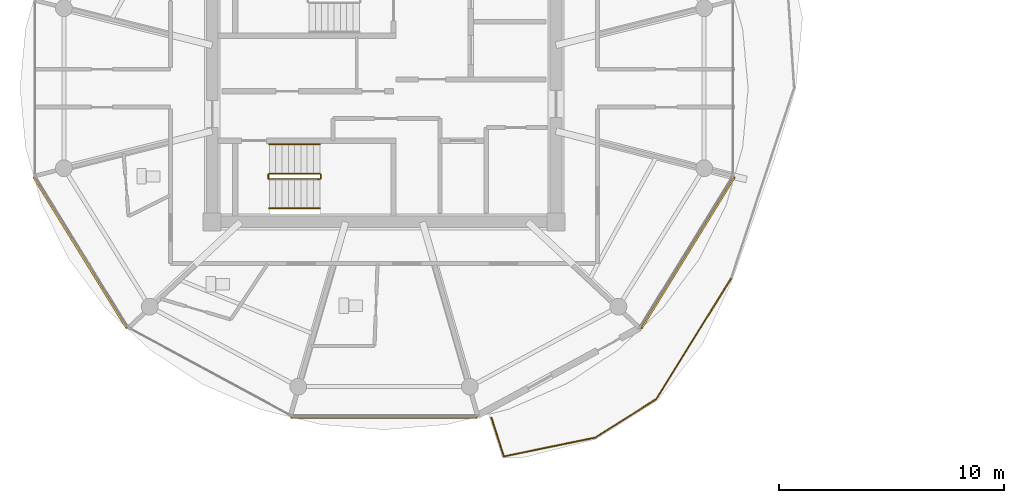
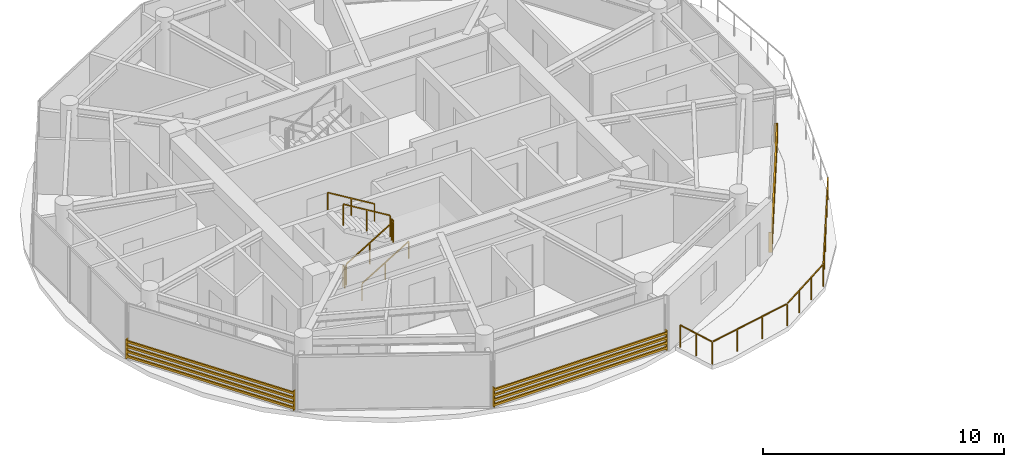
# One storey, part 15 of 19: 7 railings, 3 shading devices.
"""IFC4 building model written with IfcOpenShell, lengths in metres."""

from ifc_helpers import new_model, si_unit, direction, frame, origin, origin_2d, place, context, subcontext, project, spatial, rectangle, extrude, source, transform, mapped, material, type_object, type_shapes, element, save


model = new_model("IFC4")

# Units and contexts
model_context = context("Model", 3, precision=1e-05, world=origin(), true_north=direction((0.0, 1.0)))
body_context = subcontext(model_context, "Body", "Model", "MODEL_VIEW")
ifc_project = project(units=[si_unit("LENGTHUNIT", "METRE"), si_unit("AREAUNIT", "SQUARE_METRE"), si_unit("VOLUMEUNIT", "CUBIC_METRE"), si_unit("PLANEANGLEUNIT", "RADIAN"), si_unit("MASSUNIT", "GRAM", prefix="KILO")], contexts=[model_context])

# Site, building, storey
site_placement = place(None, origin())
site = spatial("IfcSite", under=ifc_project, at=site_placement, CompositionType="ELEMENT")
building_placement = place(site_placement, origin())
building = spatial("IfcBuilding", under=site, at=building_placement, Name="Norrkilde Senior Care Towers", CompositionType="ELEMENT")
storey_placement = place(building_placement, frame((0.0, 0.0, 193.699951171875)))
storey = spatial("IfcBuildingStorey", under=building, at=storey_placement, Name="L60", CompositionType="ELEMENT", Elevation=193.699951171875)

# Railings
ifc_material_1 = material(Name="Anodised Aluminium", Category="aluminium")
railing_type_1 = type_object("IfcRailingType", Name="Balcony Swirl Ribbon Guardrail 1150", PredefinedType="GUARDRAIL", material=ifc_material_1)
railing_1_placement = place(storey_placement, frame((-12.56494140625, -8.48046875, 0.0)))
element("IfcRailing", 1, at=railing_1_placement, inside=storey, type_object=railing_type_1, Name="L60 Perimeter Safety Guard 03", PredefinedType="GUARDRAIL", context=body_context, shape_type="SweptSolid", body=[
    extrude(rectangle(XDim=0.048095703125, YDim=0.048095703125, at=origin_2d()), frame((0.0, 0.0, 1.1259765625), z_axis=(-0.526629970888, -0.850094626358, 0.0), x_axis=(0.850094626358, -0.526629970888, 0.0)), (0.0, 0.0, 1.0), 6.246337890625),
    extrude(rectangle(XDim=0.048095703125, YDim=0.048095703125, at=origin_2d()), frame((-3.345703125, -5.366455078125, 1.1259765625), z_axis=(-0.845186378961, -0.534471687574, 0.0), x_axis=(0.534471687574, -0.845186378961, 0.0)), (0.0, 0.0, 1.0), 3.141357421875),
    extrude(rectangle(XDim=0.048095703125, YDim=0.048095703125, at=origin_2d()), frame((-6.0751953125, -7.07568359375, 1.1259765625), z_axis=(-0.979422898492, -0.20181869564, 0.0), x_axis=(0.20181869564, -0.979422898492, 0.0)), (0.0, 0.0, 1.0), 4.073486328125),
    extrude(rectangle(XDim=0.048095703125, YDim=0.048095703125, at=origin_2d()), frame((-10.117431640625, -7.8671875, 1.1259765625), z_axis=(-0.304927286602, 0.952375634866, 0.0), x_axis=(-0.952375634866, -0.304927286602, 0.0)), (0.0, 0.0, 1.0), 1.77099609375),
    extrude(rectangle(XDim=0.0419921875, YDim=0.0419921875, at=origin_2d()), origin(), (0.0, 0.0, 1.0), 1.099853515625),
    extrude(rectangle(XDim=0.0419921875, YDim=0.0419921875, at=origin_2d()), frame((-0.662109375, -1.06884765625, 0.0)), (0.0, 0.0, 1.0), 1.099853515625),
    extrude(rectangle(XDim=0.0419921875, YDim=0.0419921875, at=origin_2d()), frame((-1.324462890625, -2.137939453125, 0.0)), (0.0, 0.0, 1.0), 1.099853515625),
    extrude(rectangle(XDim=0.0419921875, YDim=0.0419921875, at=origin_2d()), frame((-1.986572265625, -3.206787109375, 0.0)), (0.0, 0.0, 1.0), 1.099853515625),
    extrude(rectangle(XDim=0.0419921875, YDim=0.0419921875, at=origin_2d()), frame((-2.64892578125, -4.27587890625, 0.0)), (0.0, 0.0, 1.0), 1.099853515625),
    extrude(rectangle(XDim=0.0419921875, YDim=0.0419921875, at=origin_2d()), frame((-3.31103515625, -5.3447265625, 0.0)), (0.0, 0.0, 1.0), 1.099853515625),
    extrude(rectangle(XDim=0.0419921875, YDim=0.0419921875, at=origin_2d()), frame((-4.218994140625, -5.9189453125, 0.0)), (0.0, 0.0, 1.0), 1.099853515625),
    extrude(rectangle(XDim=0.0419921875, YDim=0.0419921875, at=origin_2d()), frame((-5.127197265625, -6.4931640625, 0.0)), (0.0, 0.0, 1.0), 1.099853515625),
    extrude(rectangle(XDim=0.0419921875, YDim=0.0419921875, at=origin_2d()), frame((-6.03515625, -7.0673828125, 0.0)), (0.0, 0.0, 1.0), 1.099853515625),
    extrude(rectangle(XDim=0.0419921875, YDim=0.0419921875, at=origin_2d()), frame((-7.391845703125, -7.346923828125, 0.0)), (0.0, 0.0, 1.0), 1.099853515625),
    extrude(rectangle(XDim=0.0419921875, YDim=0.0419921875, at=origin_2d()), frame((-8.748291015625, -7.62646484375, 0.0)), (0.0, 0.0, 1.0), 1.099853515625),
    extrude(rectangle(XDim=0.0419921875, YDim=0.0419921875, at=origin_2d()), frame((-10.10498046875, -7.906005859375, 0.0)), (0.0, 0.0, 1.0), 1.099853515625),
    extrude(rectangle(XDim=0.0419921875, YDim=0.0419921875, at=origin_2d()), frame((-10.38134765625, -7.043212890625, 0.0)), (0.0, 0.0, 1.0), 1.099853515625),
    extrude(rectangle(XDim=0.0419921875, YDim=0.0419921875, at=origin_2d()), frame((-10.657470703125, -6.180419921875, 0.0)), (0.0, 0.0, 1.0), 1.099853515625),
])
ifc_material_2 = material(Name="Stainless Steel", Category="steel")
railing_type_2 = type_object("IfcRailingType", Name="Stair and Terrace Guardrail 1100", PredefinedType="GUARDRAIL", material=ifc_material_2)
railing_2_placement = place(storey_placement, frame((-33.10009765625, -4.050048828125, 0.16943359375)))
element("IfcRailing", 2, at=railing_2_placement, inside=storey, type_object=railing_type_2, Name="L60 ST-W2 stair guard 1", PredefinedType="GUARDRAIL", context=body_context, shape_type="SweptSolid", body=[
    extrude(rectangle(XDim=0.048095703125, YDim=0.048095703125, at=origin_2d()), frame((0.0, 0.0, 1.076171875), z_axis=(0.855512035549, 0.0, 0.517782924622), x_axis=(0.0, 1.0, 0.0)), (0.0, 0.0, 1.0), 2.618408203125),
    extrude(rectangle(XDim=0.0419921875, YDim=0.0419921875, at=origin_2d()), origin(), (0.0, 0.0, 1.0), 1.050048828125),
    extrude(rectangle(XDim=0.0419921875, YDim=0.0419921875, at=origin_2d()), frame((1.1201171875, 0.0, 0.677734375)), (0.0, 0.0, 1.0), 1.050048828125),
    extrude(rectangle(XDim=0.0419921875, YDim=0.0419921875, at=origin_2d()), frame((2.239990234375, 0.0, 1.355712890625)), (0.0, 0.0, 1.0), 1.050048828125),
])
railing_3_placement = place(storey_placement, frame((-30.81005859375, -4.0, 1.525146484375)))
element("IfcRailing", 3, at=railing_3_placement, inside=storey, type_object=railing_type_2, Name="L60 ST-W2 stair guard 2", PredefinedType="GUARDRAIL", context=body_context, shape_type="SweptSolid", body=[
    extrude(rectangle(XDim=0.048095703125, YDim=0.048095703125, at=origin_2d()), frame((0.0, 0.0, 1.076171875), z_axis=(0.0, 1.0, 0.0), x_axis=(-1.0, 0.0, 0.0)), (0.0, 0.0, 1.0), 0.14990234375),
    extrude(rectangle(XDim=0.0419921875, YDim=0.0419921875, at=origin_2d()), origin(), (0.0, 0.0, 1.0), 1.050048828125),
    extrude(rectangle(XDim=0.0419921875, YDim=0.0419921875, at=origin_2d()), frame((0.0, 0.14990234375, 0.0)), (0.0, 0.0, 1.0), 1.050048828125),
])
railing_4_placement = place(storey_placement, frame((-30.860107421875, -3.800048828125, 1.694580078125)))
element("IfcRailing", 4, at=railing_4_placement, inside=storey, type_object=railing_type_2, Name="L60 ST-W2 stair guard 3", PredefinedType="GUARDRAIL", context=body_context, shape_type="SweptSolid", body=[
    extrude(rectangle(XDim=0.048095703125, YDim=0.048095703125, at=origin_2d()), frame((0.0, 0.0, 1.076171875), z_axis=(-0.855553338991, 0.0, 0.51771467445), x_axis=(0.0, -1.0, 0.0)), (0.0, 0.0, 1.0), 2.6181640625),
    extrude(rectangle(XDim=0.0419921875, YDim=0.0419921875, at=origin_2d()), origin(), (0.0, 0.0, 1.0), 1.050048828125),
    extrude(rectangle(XDim=0.0419921875, YDim=0.0419921875, at=origin_2d()), frame((-1.1201171875, 0.0, 0.677734375)), (0.0, 0.0, 1.0), 1.050048828125),
    extrude(rectangle(XDim=0.0419921875, YDim=0.0419921875, at=origin_2d()), frame((-2.239990234375, 0.0, 1.35546875)), (0.0, 0.0, 1.0), 1.050048828125),
])
railing_5_placement = place(storey_placement, frame((-33.14990234375, -4.0, 0.0)))
element("IfcRailing", 5, at=railing_5_placement, inside=storey, type_object=railing_type_2, Name="L60 ST-W2 stair guard 4", PredefinedType="GUARDRAIL", context=body_context, shape_type="SweptSolid", body=[
    extrude(rectangle(XDim=0.048095703125, YDim=0.048095703125, at=origin_2d()), frame((0.0, 0.0, 1.076171875), z_axis=(0.0, 1.0, 0.0), x_axis=(-1.0, 0.0, 0.0)), (0.0, 0.0, 1.0), 0.14990234375),
    extrude(rectangle(XDim=0.0419921875, YDim=0.0419921875, at=origin_2d()), origin(), (0.0, 0.0, 1.0), 1.050048828125),
    extrude(rectangle(XDim=0.0419921875, YDim=0.0419921875, at=origin_2d()), frame((0.0, 0.14990234375, 0.0)), (0.0, 0.0, 1.0), 1.050048828125),
])
ifc_material_3 = material(Name="Nordic Ash Timber", Category="wood")
railing_type_3 = type_object("IfcRailingType", Name="Wall and Stair Handrail 900", PredefinedType="HANDRAIL", material=ifc_material_3)
railing_6_placement = place(storey_placement, frame((-33.10009765625, -5.35009765625, 0.16943359375)))
element("IfcRailing", 6, at=railing_6_placement, inside=storey, type_object=railing_type_3, Name="L60 ST-W2 stair handrail 1", PredefinedType="HANDRAIL", context=body_context, shape_type="SweptSolid", body=[
    extrude(rectangle(XDim=0.048095703125, YDim=0.048095703125, at=origin_2d()), frame((0.0, 0.0, 0.8759765625), z_axis=(0.855512035549, 0.0, 0.517782924622), x_axis=(0.0, 1.0, 0.0)), (0.0, 0.0, 1.0), 2.618408203125),
    extrude(rectangle(XDim=0.0419921875, YDim=0.0419921875, at=origin_2d()), origin(), (0.0, 0.0, 1.0), 0.849853515625),
    extrude(rectangle(XDim=0.0419921875, YDim=0.0419921875, at=origin_2d()), frame((1.1201171875, 0.0, 0.677734375)), (0.0, 0.0, 1.0), 0.849853515625),
    extrude(rectangle(XDim=0.0419921875, YDim=0.0419921875, at=origin_2d()), frame((2.239990234375, 0.0, 1.355712890625)), (0.0, 0.0, 1.0), 0.849853515625),
])
railing_7_placement = place(storey_placement, frame((-30.860107421875, -2.5, 1.694580078125)))
element("IfcRailing", 7, at=railing_7_placement, inside=storey, type_object=railing_type_3, Name="L60 ST-W2 stair handrail 2", PredefinedType="HANDRAIL", context=body_context, shape_type="SweptSolid", body=[
    extrude(rectangle(XDim=0.048095703125, YDim=0.048095703125, at=origin_2d()), frame((0.0, 0.0, 0.8759765625), z_axis=(-0.855553338991, 0.0, 0.51771467445), x_axis=(0.0, -1.0, 0.0)), (0.0, 0.0, 1.0), 2.6181640625),
    extrude(rectangle(XDim=0.0419921875, YDim=0.0419921875, at=origin_2d()), origin(), (0.0, 0.0, 1.0), 0.849853515625),
    extrude(rectangle(XDim=0.0419921875, YDim=0.0419921875, at=origin_2d()), frame((-1.1201171875, 0.0, 0.677734375)), (0.0, 0.0, 1.0), 0.849853515625),
    extrude(rectangle(XDim=0.0419921875, YDim=0.0419921875, at=origin_2d()), frame((-2.239990234375, 0.0, 1.35546875)), (0.0, 0.0, 1.0), 0.849853515625),
])

# Shading devices
ifc_material_4 = material(Name="Architectural Terracotta", Category="masonry")
shading_device_type = type_object("IfcShadingDeviceType", Name="Horizontal Terracotta Baguette Rack", PredefinedType="USERDEFINED", material=ifc_material_4)
shared_shape_1 = source(origin(), body_context, "Body", "SweptSolid", [
    extrude(rectangle(XDim=0.070068359375, YDim=0.110107421875, at=origin_2d()), frame((0.0, 0.090087890625, 0.125), z_axis=(1.0, 0.0, 0.0), x_axis=(0.0, 1.0, 0.0)), (0.0, 0.0, 1.0), 7.938232421875),
    extrude(rectangle(XDim=0.070068359375, YDim=0.110107421875, at=origin_2d()), frame((0.0, 0.090087890625, 0.375), z_axis=(1.0, 0.0, 0.0), x_axis=(0.0, 1.0, 0.0)), (0.0, 0.0, 1.0), 7.938232421875),
    extrude(rectangle(XDim=0.070068359375, YDim=0.110107421875, at=origin_2d()), frame((0.0, 0.090087890625, 0.625), z_axis=(1.0, 0.0, 0.0), x_axis=(0.0, 1.0, 0.0)), (0.0, 0.0, 1.0), 7.938232421875),
    extrude(rectangle(XDim=0.070068359375, YDim=0.110107421875, at=origin_2d()), frame((0.0, 0.090087890625, 0.875), z_axis=(1.0, 0.0, 0.0), x_axis=(0.0, 1.0, 0.0)), (0.0, 0.0, 1.0), 7.938232421875),
    extrude(rectangle(XDim=0.050048828125, YDim=0.1552734375, at=origin_2d()), frame((0.02490234375, 0.047607421875, 0.0)), (0.0, 0.0, 1.0), 1.0),
    extrude(rectangle(XDim=0.050048828125, YDim=0.1552734375, at=origin_2d()), frame((7.9130859375, 0.047607421875, 0.0)), (0.0, 0.0, 1.0), 1.0),
])
for number, where, z_axis, x_axis, name in (
    (8, (-39.370361328125, -10.6630859375, 0.080078125), (0.0, 0.0, 1.0), (-0.524250345994, 0.851576195602, 0.0), "L60 Drum W Terracotta Baguette Screen 06"),
    (9, (-12.468017578125, -3.903076171875, 0.080078125), (0.0, 0.0, 1.0), (-0.524250345994, -0.851576195602, 0.0), "L60 Drum W Terracotta Baguette Screen 10"),
):
    element("IfcShadingDevice", number, at=place(storey_placement, frame(where, z_axis=z_axis, x_axis=x_axis)), inside=storey, type_object=shading_device_type, Name=name, ObjectType="BAGUETTE", PredefinedType="USERDEFINED", context=body_context, shape_type="MappedRepresentation", body=[
        mapped(shared_shape_1, transform((0.0, 0.0, 0.0), x_axis=(1.0, 0.0, 0.0), y_axis=(0.0, 1.0, 0.0), z_axis=(0.0, 0.0, 1.0), scale=1.0)),
    ])
shared_shape_2 = source(origin(), body_context, "Body", "SweptSolid", [
    extrude(rectangle(XDim=0.070068359375, YDim=0.110107421875, at=origin_2d()), frame((0.0, 0.090087890625, 0.125), z_axis=(1.0, 0.0, 0.0), x_axis=(0.0, 1.0, 0.0)), (0.0, 0.0, 1.0), 8.32373046875),
    extrude(rectangle(XDim=0.070068359375, YDim=0.110107421875, at=origin_2d()), frame((0.0, 0.090087890625, 0.375), z_axis=(1.0, 0.0, 0.0), x_axis=(0.0, 1.0, 0.0)), (0.0, 0.0, 1.0), 8.32373046875),
    extrude(rectangle(XDim=0.070068359375, YDim=0.110107421875, at=origin_2d()), frame((0.0, 0.090087890625, 0.625), z_axis=(1.0, 0.0, 0.0), x_axis=(0.0, 1.0, 0.0)), (0.0, 0.0, 1.0), 8.32373046875),
    extrude(rectangle(XDim=0.070068359375, YDim=0.110107421875, at=origin_2d()), frame((0.0, 0.090087890625, 0.875), z_axis=(1.0, 0.0, 0.0), x_axis=(0.0, 1.0, 0.0)), (0.0, 0.0, 1.0), 8.32373046875),
    extrude(rectangle(XDim=0.050048828125, YDim=0.1552734375, at=origin_2d()), frame((0.02490234375, 0.047607421875, 0.0)), (0.0, 0.0, 1.0), 1.0),
    extrude(rectangle(XDim=0.050048828125, YDim=0.1552734375, at=origin_2d()), frame((8.298828125, 0.047607421875, 0.0)), (0.0, 0.0, 1.0), 1.0),
])
type_shapes(shading_device_type, [shared_shape_1, shared_shape_2])
shading_device_placement = place(storey_placement, frame((-23.838134765625, -14.566162109375, 0.080078125), z_axis=(0.0, 0.0, 1.0), x_axis=(-1.0, 0.0, 0.0)))
element("IfcShadingDevice", 10, at=shading_device_placement, inside=storey, type_object=shading_device_type, Name="L60 Drum W Terracotta Baguette Screen 08", ObjectType="BAGUETTE", PredefinedType="USERDEFINED", context=body_context, shape_type="MappedRepresentation", body=[
    mapped(shared_shape_2, transform((0.0, 0.0, 0.0), x_axis=(1.0, 0.0, 0.0), y_axis=(0.0, 1.0, 0.0), z_axis=(0.0, 0.0, 1.0), scale=1.0)),
])

save(model, "model.ifc")
